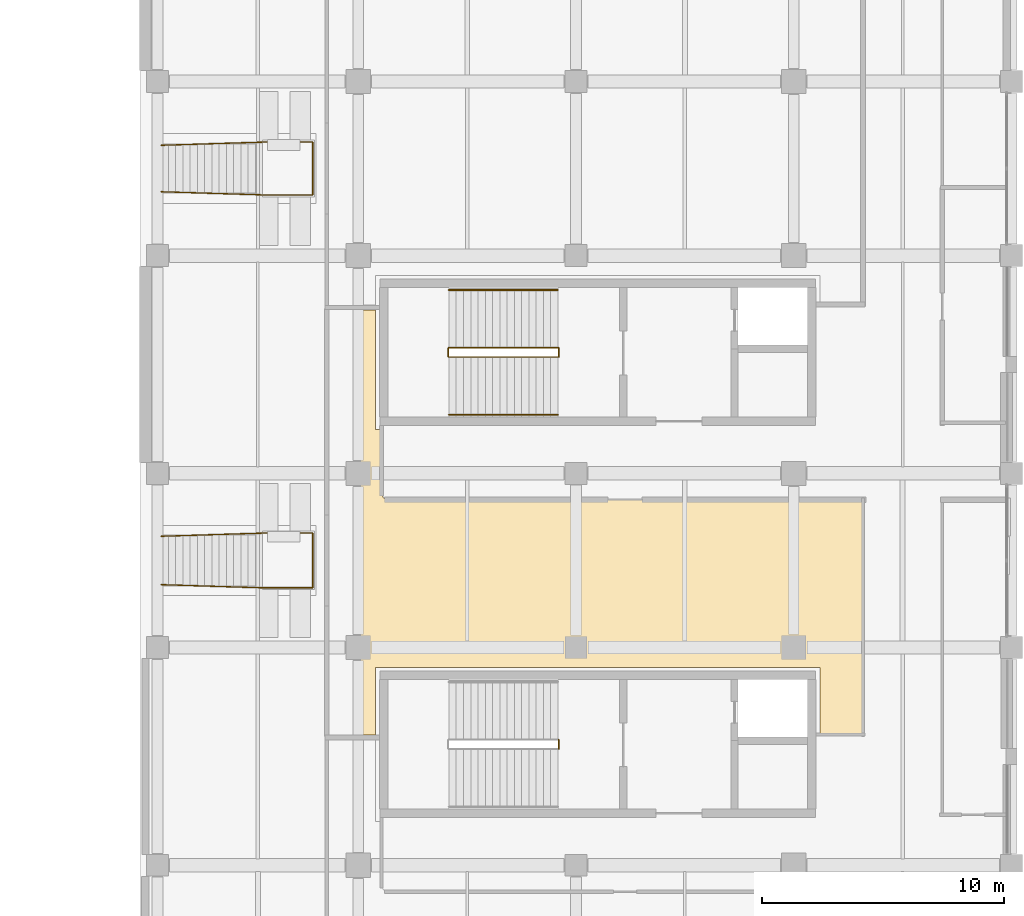
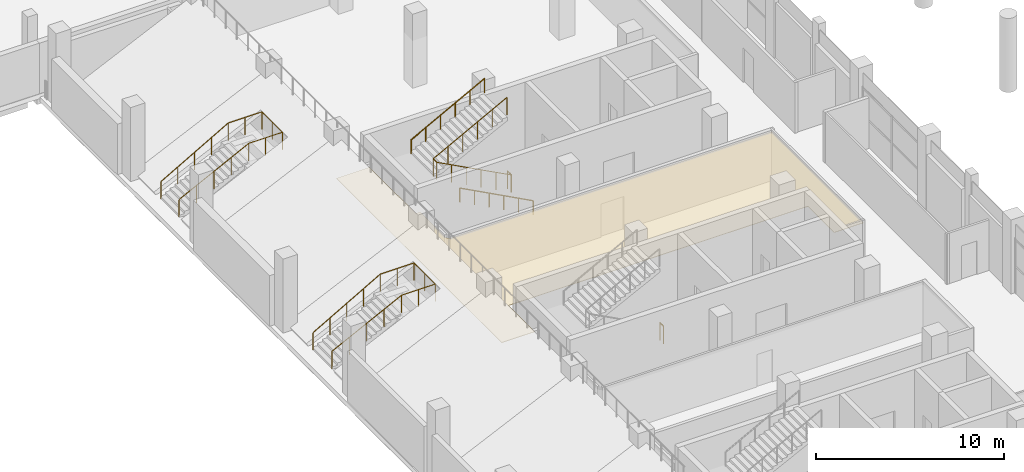
# One storey, part 92 of 100: 7 railings, 1 covering.
"""IFC4 building model written with IfcOpenShell, lengths in metres."""

from ifc_helpers import new_model, si_unit, direction, frame, origin, origin_2d, place, context, subcontext, project, spatial, polyline, circle, outline, extrude, material, layer, layer_set, type_object, element, save


model = new_model("IFC4")

# Units and contexts
model_context = context("Model", 3, precision=1e-05, world=origin(), true_north=direction((0.0, 1.0)))
body_context = subcontext(model_context, "Body", "Model", "MODEL_VIEW")
ifc_project = project(units=[si_unit("LENGTHUNIT", "METRE"), si_unit("AREAUNIT", "SQUARE_METRE"), si_unit("VOLUMEUNIT", "CUBIC_METRE"), si_unit("PLANEANGLEUNIT", "RADIAN"), si_unit("MASSUNIT", "GRAM", prefix="KILO"), si_unit("THERMODYNAMICTEMPERATUREUNIT", "KELVIN"), si_unit("POWERUNIT", "WATT")], contexts=[model_context])

# Site, building, storey
site_placement = place(None, origin())
site = spatial("IfcSite", under=ifc_project, at=site_placement, CompositionType="ELEMENT")
building_placement = place(site_placement, origin())
building = spatial("IfcBuilding", under=site, at=building_placement, Name="Sindhuravela Promenade Stadium", CompositionType="ELEMENT")
storey_placement = place(building_placement, frame((0.0, 0.0, 4.800048828125)))
storey = spatial("IfcBuildingStorey", under=building, at=storey_placement, Name="L01", CompositionType="ELEMENT", Elevation=4.800048828125)

# Covering
ifc_material_1 = material(Name="Acoustic mineral-fibre ceiling tile", Category="gypsum")
ifc_layer = layer(ifc_material_1, 0.02490234375)
ifc_layer_set = layer_set([ifc_layer], Name="Acoustic mineral-fibre ceiling tile")
covering_type = type_object("IfcCoveringType", Name="CV-CEIL-1", PredefinedType="CEILING", material=ifc_layer_set)
covering_placement = place(storey_placement, frame((0.0, 0.0, 3.050048828125)))
element("IfcCovering", 1, at=covering_placement, inside=storey, type_object=covering_type, Name="Acoustic ceiling Promenade Upper Cafe Veranda", PredefinedType="CEILING", context=body_context, shape_type="SweptSolid", body=[
    extrude(outline(polyline([(178.679931640625, 107.5380859375), (178.68017578125, 107.5400390625), (178.680419921875, 107.5419921875), (178.680908203125, 107.543701171875), (178.681396484375, 107.545654296875), (178.682373046875, 107.54736328125), (178.683349609375, 107.549072265625), (178.6845703125, 107.55078125), (178.685791015625, 107.552001953125), (178.687255859375, 107.553466796875), (178.68896484375, 107.5546875), (178.690673828125, 107.5556640625), (178.6923828125, 107.556396484375), (178.694091796875, 107.55712890625), (178.696044921875, 107.5576171875), (178.697998046875, 107.557861328125), (178.699951171875, 107.55810546875), (180.699951171875, 107.55810546875), (180.701904296875, 107.557861328125), (180.703857421875, 107.5576171875), (180.705810546875, 107.55712890625), (180.707763671875, 107.556396484375), (180.70947265625, 107.5556640625), (180.711181640625, 107.5546875), (180.712646484375, 107.553466796875), (180.714111328125, 107.552001953125), (180.715576171875, 107.55078125), (180.716552734375, 107.549072265625), (180.717529296875, 107.54736328125), (180.718505859375, 107.545654296875), (180.718994140625, 107.543701171875), (180.719482421875, 107.5419921875), (180.719970703125, 107.5400390625), (180.719970703125, 107.5380859375), (180.719970703125, 102.6201171875), (180.9599609375, 102.6201171875), (180.9619140625, 102.619873046875), (180.9638671875, 102.61962890625), (180.9658203125, 102.619140625), (180.9677734375, 102.618408203125), (180.969482421875, 102.61767578125), (180.97119140625, 102.61669921875), (180.97265625, 102.615478515625), (180.97412109375, 102.614013671875), (180.9755859375, 102.61279296875), (180.9765625, 102.611083984375), (180.9775390625, 102.609375), (180.978515625, 102.607666015625), (180.97900390625, 102.605712890625), (180.9794921875, 102.60400390625), (180.97998046875, 102.60205078125), (180.97998046875, 102.60009765625), (180.97998046875, 99.950439453125), (180.981201171875, 99.928466796875), (180.984375, 99.906982421875), (180.989501953125, 99.885986328125), (180.996826171875, 99.86572265625), (181.006103515625, 99.84619140625), (181.01708984375, 99.827880859375), (181.030029296875, 99.810302734375), (181.04443359375, 99.79443359375), (181.060302734375, 99.780029296875), (181.077880859375, 99.76708984375), (181.09619140625, 99.756103515625), (181.11572265625, 99.746826171875), (181.135986328125, 99.739501953125), (181.156982421875, 99.734375), (181.178466796875, 99.731201171875), (181.200439453125, 99.72998046875), (200.860107421875, 99.72998046875), (200.862060546875, 99.72998046875), (200.864013671875, 99.7294921875), (200.86572265625, 99.72900390625), (200.86767578125, 99.728515625), (200.869384765625, 99.7275390625), (200.87109375, 99.7265625), (200.872802734375, 99.7255859375), (200.8740234375, 99.72412109375), (200.87548828125, 99.72265625), (200.876708984375, 99.72119140625), (200.877685546875, 99.719482421875), (200.87841796875, 99.7177734375), (200.879150390625, 99.7158203125), (200.879638671875, 99.7138671875), (200.8798828125, 99.7119140625), (200.8798828125, 99.7099609375), (200.8798828125, 90.006103515625), (200.8798828125, 90.00390625), (200.879638671875, 90.002197265625), (200.879150390625, 90.000244140625), (200.87841796875, 89.998291015625), (200.877685546875, 89.99658203125), (200.876708984375, 89.994873046875), (200.87548828125, 89.993408203125), (200.8740234375, 89.991943359375), (200.872802734375, 89.990478515625), (200.87109375, 89.989501953125), (200.869384765625, 89.98828125), (200.86767578125, 89.987548828125), (200.86572265625, 89.98681640625), (200.864013671875, 89.986328125), (200.862060546875, 89.986083984375), (200.860107421875, 89.986083984375), (199.10009765625, 89.986083984375), (199.097900390625, 89.986083984375), (199.09619140625, 89.986328125), (199.09423828125, 89.98681640625), (199.09228515625, 89.987548828125), (199.090576171875, 89.98828125), (199.0888671875, 89.989501953125), (199.08740234375, 89.990478515625), (199.0859375, 89.991943359375), (199.08447265625, 89.993408203125), (199.08349609375, 89.994873046875), (199.08251953125, 89.99658203125), (199.08154296875, 89.998291015625), (199.080810546875, 90.000244140625), (199.080322265625, 90.002197265625), (199.080078125, 90.00390625), (199.080078125, 90.006103515625), (199.080078125, 92.780029296875), (180.719970703125, 92.780029296875), (180.719970703125, 90.006103515625), (180.719970703125, 90.00390625), (180.719482421875, 90.002197265625), (180.718994140625, 90.000244140625), (180.718505859375, 89.998291015625), (180.717529296875, 89.99658203125), (180.716552734375, 89.994873046875), (180.715576171875, 89.993408203125), (180.714111328125, 89.991943359375), (180.712646484375, 89.990478515625), (180.711181640625, 89.989501953125), (180.70947265625, 89.98828125), (180.707763671875, 89.987548828125), (180.705810546875, 89.98681640625), (180.703857421875, 89.986328125), (180.701904296875, 89.986083984375), (180.699951171875, 89.986083984375), (178.699951171875, 89.986083984375), (178.697998046875, 89.986083984375), (178.696044921875, 89.986328125), (178.694091796875, 89.98681640625), (178.6923828125, 89.987548828125), (178.690673828125, 89.98828125), (178.68896484375, 89.989501953125), (178.687255859375, 89.990478515625), (178.685791015625, 89.991943359375), (178.6845703125, 89.993408203125), (178.683349609375, 89.994873046875), (178.682373046875, 89.99658203125), (178.681396484375, 89.998291015625), (178.680908203125, 90.000244140625), (178.680419921875, 90.002197265625), (178.68017578125, 90.00390625), (178.679931640625, 90.006103515625), (178.679931640625, 107.5380859375)])), origin(), (0.0, 0.0, 1.0), 0.02490234375),
])

# Railings
ifc_material_2 = material(Name="Architectural wrought steel E350", Category="steel")
railing_type_1 = type_object("IfcRailingType", Name="RL-GRD-1150", PredefinedType="GUARDRAIL", material=ifc_material_2)
railing_1_placement = place(storey_placement, frame((188.280029296875, 89.409912109375, 0.0)))
element("IfcRailing", 2, at=railing_1_placement, inside=storey, type_object=railing_type_1, Name="Stair ST07 landing well slot guard (L01)", PredefinedType="GUARDRAIL", context=body_context, shape_type="SweptSolid", body=[
    extrude(circle(Radius=0.02392578125, at=origin_2d()), frame((0.0, 0.0, 1.1259765625), z_axis=(0.0, 1.0, 0.0), x_axis=(-1.0, 0.0, 0.0)), (0.0, 0.0, 1.0), 0.380126953125),
    extrude(circle(Radius=0.02099609375, at=origin_2d()), origin(), (0.0, 0.0, 1.0), 1.101806640625),
    extrude(circle(Radius=0.02099609375, at=origin_2d()), frame((0.0, 0.380126953125, 0.0)), (0.0, 0.0, 1.0), 1.101806640625),
])
railing_2_placement = place(storey_placement, frame((188.25, 105.610107421875, 0.0)))
element("IfcRailing", 3, at=railing_2_placement, inside=storey, type_object=railing_type_1, Name="Stair ST08 inner well guard (L01)", PredefinedType="GUARDRAIL", context=body_context, shape_type="SweptSolid", body=[
    extrude(circle(Radius=0.02392578125, at=origin_2d()), frame((0.0, 0.0, 1.1259765625), z_axis=(-0.8836546633431795, 0.0, 0.46813933390802775), x_axis=(0.0, -1.0, 0.0)), (0.0, 0.0, 1.0), 5.12646484375),
    extrude(circle(Radius=0.02392578125, at=origin_2d()), frame((-4.530029296875, 0.0, 3.52587890625), z_axis=(0.0, 1.0, 0.0), x_axis=(-1.0, 0.0, 0.0)), (0.0, 0.0, 1.0), 0.3798828125),
    extrude(circle(Radius=0.02392578125, at=origin_2d()), frame((-4.530029296875, 0.3798828125, 3.52587890625), z_axis=(0.8836349624059475, 0.0, 0.46817651928929505), x_axis=(0.0, 1.0, 0.0)), (0.0, 0.0, 1.0), 5.12646484375),
    extrude(circle(Radius=0.02099609375, at=origin_2d()), origin(), (0.0, 0.0, 1.0), 1.101806640625),
    extrude(circle(Radius=0.02099609375, at=origin_2d()), frame((-0.906005859375, 0.0, 0.47998046875)), (0.0, 0.0, 1.0), 1.101806640625),
    extrude(circle(Radius=0.02099609375, at=origin_2d()), frame((-1.81201171875, 0.0, 0.9599609375)), (0.0, 0.0, 1.0), 1.101806640625),
    extrude(circle(Radius=0.02099609375, at=origin_2d()), frame((-2.718017578125, 0.0, 1.43994140625)), (0.0, 0.0, 1.0), 1.101806640625),
    extrude(circle(Radius=0.02099609375, at=origin_2d()), frame((-3.6240234375, 0.0, 1.919921875)), (0.0, 0.0, 1.0), 1.101806640625),
    extrude(circle(Radius=0.02099609375, at=origin_2d()), frame((-4.530029296875, 0.0, 2.39990234375)), (0.0, 0.0, 1.0), 1.101806640625),
    extrude(circle(Radius=0.02099609375, at=origin_2d()), frame((-4.530029296875, 0.3798828125, 2.39990234375)), (0.0, 0.0, 1.0), 1.101806640625),
    extrude(circle(Radius=0.02099609375, at=origin_2d()), frame((-3.6240234375, 0.3798828125, 2.8798828125)), (0.0, 0.0, 1.0), 1.101806640625),
    extrude(circle(Radius=0.02099609375, at=origin_2d()), frame((-2.718017578125, 0.3798828125, 3.35986328125)), (0.0, 0.0, 1.0), 1.101806640625),
    extrude(circle(Radius=0.02099609375, at=origin_2d()), frame((-1.81201171875, 0.3798828125, 3.840087890625)), (0.0, 0.0, 1.0), 1.101806640625),
    extrude(circle(Radius=0.02099609375, at=origin_2d()), frame((-0.906005859375, 0.3798828125, 4.320068359375)), (0.0, 0.0, 1.0), 1.101806640625),
    extrude(circle(Radius=0.02099609375, at=origin_2d()), frame((0.0, 0.3798828125, 4.800048828125)), (0.0, 0.0, 1.0), 1.101806640625),
])
railing_3_placement = place(storey_placement, frame((188.280029296875, 105.610107421875, 0.0)))
element("IfcRailing", 4, at=railing_3_placement, inside=storey, type_object=railing_type_1, Name="Stair ST08 landing well slot guard (L01)", PredefinedType="GUARDRAIL", context=body_context, shape_type="SweptSolid", body=[
    extrude(circle(Radius=0.02392578125, at=origin_2d()), frame((0.0, 0.0, 1.1259765625), z_axis=(0.0, 1.0, 0.0), x_axis=(-1.0, 0.0, 0.0)), (0.0, 0.0, 1.0), 0.3798828125),
    extrude(circle(Radius=0.02099609375, at=origin_2d()), origin(), (0.0, 0.0, 1.0), 1.101806640625),
    extrude(circle(Radius=0.02099609375, at=origin_2d()), frame((0.0, 0.3798828125, 0.0)), (0.0, 0.0, 1.0), 1.101806640625),
])
railing_4_placement = place(storey_placement, frame((171.85009765625, 96.199951171875, 0.0)))
element("IfcRailing", 5, at=railing_4_placement, inside=storey, type_object=railing_type_1, Name="Vomitory VS07 flight & platform guard", PredefinedType="GUARDRAIL", context=body_context, shape_type="SweptSolid", body=[
    extrude(circle(Radius=0.02392578125, at=origin_2d()), frame((0.0, 0.0, 1.1259765625), z_axis=(0.8811503615104481, -0.02724943279216174, 0.47205032445970413), x_axis=(0.030910061871442473, 0.9995221698767385, 0.0)), (0.0, 0.0, 1.0), 4.766357421875),
    extrude(circle(Radius=0.02392578125, at=origin_2d()), frame((4.199951171875, -0.1298828125, 3.3759765625), z_axis=(1.0, 0.0, 0.0), x_axis=(0.0, 1.0, 0.0)), (0.0, 0.0, 1.0), 2.070068359375),
    extrude(circle(Radius=0.02392578125, at=origin_2d()), frame((6.27001953125, -0.1298828125, 3.3759765625), z_axis=(0.0, 1.0, 0.0), x_axis=(-1.0, 0.0, 0.0)), (0.0, 0.0, 1.0), 2.260009765625),
    extrude(circle(Radius=0.02392578125, at=origin_2d()), frame((6.27001953125, 2.130126953125, 3.3759765625), z_axis=(-1.0, 0.0, 0.0), x_axis=(0.0, -1.0, 0.0)), (0.0, 0.0, 1.0), 2.070068359375),
    extrude(circle(Radius=0.02392578125, at=origin_2d()), frame((4.199951171875, 2.130126953125, 3.3759765625), z_axis=(-0.8811491305038108, -0.027300615390253514, -0.4720496649841958), x_axis=(0.03096810782289172, -0.9995203731279667, 0.0)), (0.0, 0.0, 1.0), 4.766357421875),
    extrude(circle(Radius=0.02099609375, at=origin_2d()), origin(), (0.0, 0.0, 1.0), 1.101806640625),
    extrude(circle(Radius=0.02099609375, at=origin_2d()), frame((1.050048828125, -0.032470703125, 0.5625)), (0.0, 0.0, 1.0), 1.101806640625),
    extrude(circle(Radius=0.02099609375, at=origin_2d()), frame((2.10009765625, -0.06494140625, 1.125)), (0.0, 0.0, 1.0), 1.101806640625),
    extrude(circle(Radius=0.02099609375, at=origin_2d()), frame((3.14990234375, -0.097412109375, 1.6875)), (0.0, 0.0, 1.0), 1.101806640625),
    extrude(circle(Radius=0.02099609375, at=origin_2d()), frame((4.199951171875, -0.1298828125, 2.25)), (0.0, 0.0, 1.0), 1.101806640625),
    extrude(circle(Radius=0.02099609375, at=origin_2d()), frame((5.23486328125, -0.1298828125, 2.25)), (0.0, 0.0, 1.0), 1.101806640625),
    extrude(circle(Radius=0.02099609375, at=origin_2d()), frame((6.27001953125, -0.1298828125, 2.25)), (0.0, 0.0, 1.0), 1.101806640625),
    extrude(circle(Radius=0.02099609375, at=origin_2d()), frame((6.27001953125, 1.0, 2.25)), (0.0, 0.0, 1.0), 1.101806640625),
    extrude(circle(Radius=0.02099609375, at=origin_2d()), frame((6.27001953125, 2.130126953125, 2.25)), (0.0, 0.0, 1.0), 1.101806640625),
    extrude(circle(Radius=0.02099609375, at=origin_2d()), frame((5.23486328125, 2.130126953125, 2.25)), (0.0, 0.0, 1.0), 1.101806640625),
    extrude(circle(Radius=0.02099609375, at=origin_2d()), frame((4.199951171875, 2.130126953125, 2.25)), (0.0, 0.0, 1.0), 1.101806640625),
    extrude(circle(Radius=0.02099609375, at=origin_2d()), frame((3.14990234375, 2.09765625, 1.6875)), (0.0, 0.0, 1.0), 1.101806640625),
    extrude(circle(Radius=0.02099609375, at=origin_2d()), frame((2.10009765625, 2.06494140625, 1.125)), (0.0, 0.0, 1.0), 1.101806640625),
    extrude(circle(Radius=0.02099609375, at=origin_2d()), frame((1.050048828125, 2.032470703125, 0.5625)), (0.0, 0.0, 1.0), 1.101806640625),
    extrude(circle(Radius=0.02099609375, at=origin_2d()), frame((0.0, 2.0, 0.0)), (0.0, 0.0, 1.0), 1.101806640625),
])
railing_5_placement = place(storey_placement, frame((171.85009765625, 112.43994140625, 0.0)))
element("IfcRailing", 6, at=railing_5_placement, inside=storey, type_object=railing_type_1, Name="Vomitory VS08 flight & platform guard", PredefinedType="GUARDRAIL", context=body_context, shape_type="SweptSolid", body=[
    extrude(circle(Radius=0.02392578125, at=origin_2d()), frame((0.0, 0.0, 1.1259765625), z_axis=(0.8811503615104481, -0.02724943279216174, 0.47205032445970413), x_axis=(0.030910061871442473, 0.9995221698767385, 0.0)), (0.0, 0.0, 1.0), 4.766357421875),
    extrude(circle(Radius=0.02392578125, at=origin_2d()), frame((4.199951171875, -0.1298828125, 3.3759765625), z_axis=(1.0, 0.0, 0.0), x_axis=(0.0, 1.0, 0.0)), (0.0, 0.0, 1.0), 2.070068359375),
    extrude(circle(Radius=0.02392578125, at=origin_2d()), frame((6.27001953125, -0.1298828125, 3.3759765625), z_axis=(0.0, 1.0, 0.0), x_axis=(-1.0, 0.0, 0.0)), (0.0, 0.0, 1.0), 2.179931640625),
    extrude(circle(Radius=0.02392578125, at=origin_2d()), frame((6.27001953125, 2.050048828125, 3.3759765625), z_axis=(-1.0, 0.0, 0.0), x_axis=(0.0, -1.0, 0.0)), (0.0, 0.0, 1.0), 2.070068359375),
    extrude(circle(Radius=0.02392578125, at=origin_2d()), frame((4.199951171875, 2.050048828125, 3.3759765625), z_axis=(-0.8811503615104481, -0.02724943279216174, -0.47205032445970413), x_axis=(0.030910061871442473, -0.9995221698767385, 0.0)), (0.0, 0.0, 1.0), 4.766357421875),
    extrude(circle(Radius=0.02099609375, at=origin_2d()), origin(), (0.0, 0.0, 1.0), 1.101806640625),
    extrude(circle(Radius=0.02099609375, at=origin_2d()), frame((1.050048828125, -0.032470703125, 0.5625)), (0.0, 0.0, 1.0), 1.101806640625),
    extrude(circle(Radius=0.02099609375, at=origin_2d()), frame((2.10009765625, -0.06494140625, 1.125)), (0.0, 0.0, 1.0), 1.101806640625),
    extrude(circle(Radius=0.02099609375, at=origin_2d()), frame((3.14990234375, -0.097412109375, 1.6875)), (0.0, 0.0, 1.0), 1.101806640625),
    extrude(circle(Radius=0.02099609375, at=origin_2d()), frame((4.199951171875, -0.1298828125, 2.25)), (0.0, 0.0, 1.0), 1.101806640625),
    extrude(circle(Radius=0.02099609375, at=origin_2d()), frame((5.23486328125, -0.1298828125, 2.25)), (0.0, 0.0, 1.0), 1.101806640625),
    extrude(circle(Radius=0.02099609375, at=origin_2d()), frame((6.27001953125, -0.1298828125, 2.25)), (0.0, 0.0, 1.0), 1.101806640625),
    extrude(circle(Radius=0.02099609375, at=origin_2d()), frame((6.27001953125, 0.9599609375, 2.25)), (0.0, 0.0, 1.0), 1.101806640625),
    extrude(circle(Radius=0.02099609375, at=origin_2d()), frame((6.27001953125, 2.050048828125, 2.25)), (0.0, 0.0, 1.0), 1.101806640625),
    extrude(circle(Radius=0.02099609375, at=origin_2d()), frame((5.23486328125, 2.050048828125, 2.25)), (0.0, 0.0, 1.0), 1.101806640625),
    extrude(circle(Radius=0.02099609375, at=origin_2d()), frame((4.199951171875, 2.050048828125, 2.25)), (0.0, 0.0, 1.0), 1.101806640625),
    extrude(circle(Radius=0.02099609375, at=origin_2d()), frame((3.14990234375, 2.017578125, 1.6875)), (0.0, 0.0, 1.0), 1.101806640625),
    extrude(circle(Radius=0.02099609375, at=origin_2d()), frame((2.10009765625, 1.985107421875, 1.125)), (0.0, 0.0, 1.0), 1.101806640625),
    extrude(circle(Radius=0.02099609375, at=origin_2d()), frame((1.050048828125, 1.95263671875, 0.5625)), (0.0, 0.0, 1.0), 1.101806640625),
    extrude(circle(Radius=0.02099609375, at=origin_2d()), frame((0.0, 1.920166015625, 0.0)), (0.0, 0.0, 1.0), 1.101806640625),
])
railing_type_2 = type_object("IfcRailingType", Name="RL-HND-920", PredefinedType="HANDRAIL", material=ifc_material_2)
railing_6_placement = place(storey_placement, frame((188.25, 103.219970703125, 0.0)))
element("IfcRailing", 7, at=railing_6_placement, inside=storey, type_object=railing_type_2, Name="Stair ST08 lower wall handrail (L01)", PredefinedType="HANDRAIL", context=body_context, shape_type="SweptSolid", body=[
    extrude(circle(Radius=0.02392578125, at=origin_2d()), frame((0.0, 0.0, 0.89599609375), z_axis=(-0.8823608919668723, 0.0, 0.4705733272588083), x_axis=(0.0, -1.0, 0.0)), (0.0, 0.0, 1.0), 5.099853515625),
    extrude(circle(Radius=0.02099609375, at=origin_2d()), origin(), (0.0, 0.0, 1.0), 0.871826171875),
    extrude(circle(Radius=0.02099609375, at=origin_2d()), frame((-0.89990234375, 0.0, 0.47998046875)), (0.0, 0.0, 1.0), 0.871826171875),
    extrude(circle(Radius=0.02099609375, at=origin_2d()), frame((-1.800048828125, 0.0, 0.9599609375)), (0.0, 0.0, 1.0), 0.871826171875),
    extrude(circle(Radius=0.02099609375, at=origin_2d()), frame((-2.699951171875, 0.0, 1.43994140625)), (0.0, 0.0, 1.0), 0.871826171875),
    extrude(circle(Radius=0.02099609375, at=origin_2d()), frame((-3.60009765625, 0.0, 1.919921875)), (0.0, 0.0, 1.0), 0.871826171875),
    extrude(circle(Radius=0.02099609375, at=origin_2d()), frame((-4.5, 0.0, 2.39990234375)), (0.0, 0.0, 1.0), 0.871826171875),
])
railing_7_placement = place(storey_placement, frame((183.75, 108.3798828125, 2.39990234375)))
element("IfcRailing", 8, at=railing_7_placement, inside=storey, type_object=railing_type_2, Name="Stair ST08 upper wall handrail (L01)", PredefinedType="HANDRAIL", context=body_context, shape_type="SweptSolid", body=[
    extrude(circle(Radius=0.02392578125, at=origin_2d()), frame((0.0, 0.0, 0.89599609375), z_axis=(0.8823410147872734, 0.0, 0.47061059659145427), x_axis=(0.0, 1.0, 0.0)), (0.0, 0.0, 1.0), 5.10009765625),
    extrude(circle(Radius=0.02099609375, at=origin_2d()), origin(), (0.0, 0.0, 1.0), 0.871826171875),
    extrude(circle(Radius=0.02099609375, at=origin_2d()), frame((0.89990234375, 0.0, 0.47998046875)), (0.0, 0.0, 1.0), 0.871826171875),
    extrude(circle(Radius=0.02099609375, at=origin_2d()), frame((1.800048828125, 0.0, 0.9599609375)), (0.0, 0.0, 1.0), 0.871826171875),
    extrude(circle(Radius=0.02099609375, at=origin_2d()), frame((2.699951171875, 0.0, 1.440185546875)), (0.0, 0.0, 1.0), 0.871826171875),
    extrude(circle(Radius=0.02099609375, at=origin_2d()), frame((3.60009765625, 0.0, 1.920166015625)), (0.0, 0.0, 1.0), 0.871826171875),
    extrude(circle(Radius=0.02099609375, at=origin_2d()), frame((4.5, 0.0, 2.400146484375)), (0.0, 0.0, 1.0), 0.871826171875),
])

save(model, "model.ifc")
